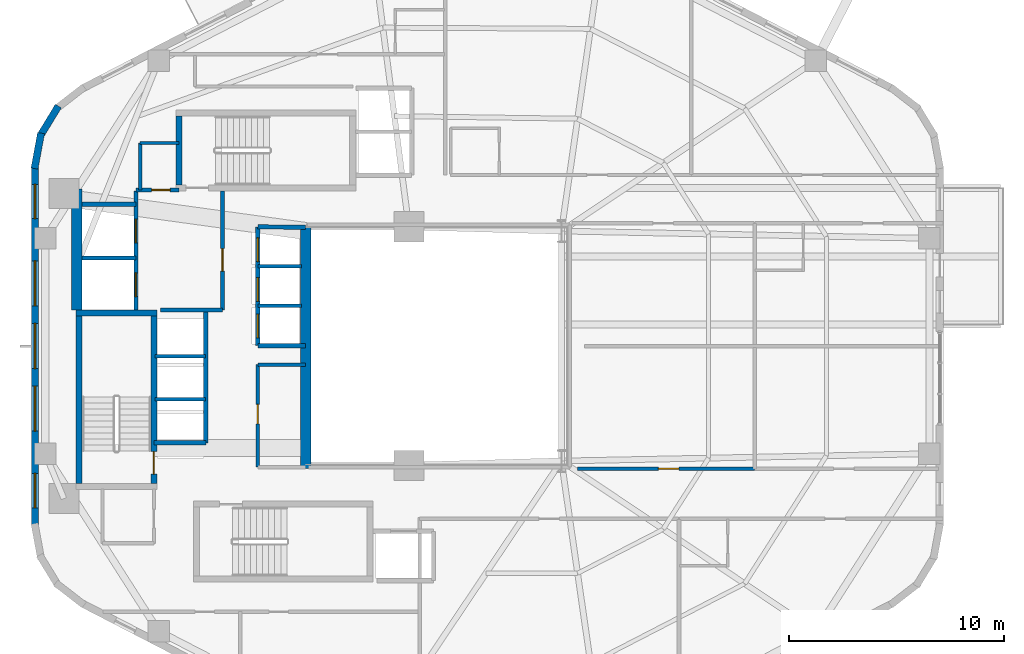
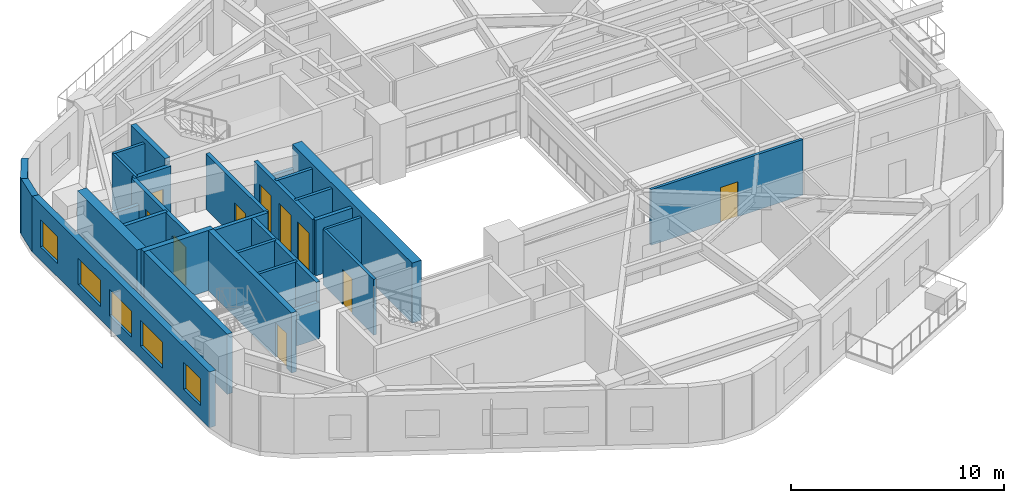
# One storey, part 5 of 10: 29 walls, 10 doors, 5 windows, 15 openings.
"""IFC4 building model written with IfcOpenShell, lengths in metres."""

import ifcopenshell
import ifcopenshell.guid

model = None  # the IFC model being written
_history = None  # IfcOwnerHistory: only IFC2X3 demands one
_inside = {}  # id of a spatial element -> (the spatial element, [elements in it])
_under = {}  # id of a project, library or spatial element -> (it, [spatial elements below it])
_declared = {}  # id of a project -> (the project, [libraries it declares])
_typed = {}  # id of a type object -> (the type object, [elements of that type])
_made_of = {}  # id of a material, layer set ... -> (it, [elements and type objects made of it])


def new_model(schema):
    """Start an empty IFC model of exactly this schema.

    Asked for "IFC4X3", IfcOpenShell would pick the latest addendum, in which some entities
    have other attributes; the version numbers below select the first issue.
    IFC2X3 requires an IfcOwnerHistory on every rooted entity: one is made here for all.
    """
    global model, _history
    if schema == "IFC4X3":
        model = ifcopenshell.file(schema_version=(4, 3, 0, 0))
    else:
        model = ifcopenshell.file(schema=schema)
    _inside.clear()
    _under.clear()
    _declared.clear()
    _typed.clear()
    _made_of.clear()
    _history = None
    if model.schema == "IFC2X3":
        org = make("IfcOrganization", Name="unknown")
        user = make(
            "IfcPersonAndOrganization",
            ThePerson=make("IfcPerson", FamilyName="unknown"),
            TheOrganization=org,
        )
        app = make(
            "IfcApplication",
            ApplicationDeveloper=org,
            Version="unknown",
            ApplicationFullName="unknown",
            ApplicationIdentifier="unknown",
        )
        _history = make(
            "IfcOwnerHistory",
            OwningUser=user,
            OwningApplication=app,
            ChangeAction="ADDED",
            CreationDate=0,
        )
    return model


def make(cls, **values):
    """One entity of the class cls with the attributes given. An attribute that is None is left unset."""
    return model.create_entity(
        cls, **{name: value for name, value in values.items() if value is not None}
    )


def rooted(cls, **values):
    """An entity with a GlobalId (a new one), such as an element, a storey or a relation."""
    return make(cls, GlobalId=ifcopenshell.guid.new(), OwnerHistory=_history, **values)


def si_unit(unit_type, name, prefix=None):
    """IfcSIUnit, for example si_unit("LENGTHUNIT", "METRE", prefix="MILLI")."""
    return make("IfcSIUnit", UnitType=unit_type, Prefix=prefix, Name=name)


def assignment(units):
    """IfcUnitAssignment: the units of a project."""
    return None if units is None else make("IfcUnitAssignment", Units=units)


def point(xyz):
    """IfcCartesianPoint."""
    return None if xyz is None else make("IfcCartesianPoint", Coordinates=xyz)


def direction(xyz):
    """IfcDirection."""
    return None if xyz is None else make("IfcDirection", DirectionRatios=xyz)


def frame(location, z_axis=None, x_axis=None):
    """IfcAxis2Placement3D, a coordinate frame: its origin and axes. An axis left out is left unset."""
    return make(
        "IfcAxis2Placement3D",
        Location=point(location),
        Axis=direction(z_axis),
        RefDirection=direction(x_axis),
    )


def frame_2d(location, x_axis=None):
    """IfcAxis2Placement2D, a coordinate frame in the plane: its origin and x axis."""
    return make(
        "IfcAxis2Placement2D", Location=point(location), RefDirection=direction(x_axis)
    )


def origin():
    """The frame at (0, 0, 0) with its axes left unset."""
    return frame((0.0, 0.0, 0.0))


def place(relative_to, where):
    """IfcLocalPlacement: puts the frame where relative to a parent placement (None: the world)."""
    return make(
        "IfcLocalPlacement", PlacementRelTo=relative_to, RelativePlacement=where
    )


def context(
    kind, dimensions, precision=None, world=None, true_north=None, identifier=None
):
    """IfcGeometricRepresentationContext, for example the 3D "Model" context."""
    return make(
        "IfcGeometricRepresentationContext",
        ContextIdentifier=identifier,
        ContextType=kind,
        CoordinateSpaceDimension=dimensions,
        Precision=precision,
        WorldCoordinateSystem=world,
        TrueNorth=true_north,
    )


def subcontext(parent, identifier, kind, view, scale=None):
    """IfcGeometricRepresentationSubContext, for example "Body" below "Model"."""
    return make(
        "IfcGeometricRepresentationSubContext",
        ContextIdentifier=identifier,
        ContextType=kind,
        ParentContext=parent,
        TargetScale=scale,
        TargetView=view,
    )


def project(units=None, contexts=None):
    """IfcProject with its units and contexts."""
    return rooted(
        "IfcProject",
        Name="project",
        RepresentationContexts=contexts,
        UnitsInContext=assignment(units),
    )


def spatial(cls, under=None, at=None, **own):
    """A site, building, storey or space (cls), placed at a placement, below another one or the project."""
    s = rooted(cls, ObjectPlacement=at, **own)
    if under is not None:
        _under.setdefault(under.id(), (under, []))[1].append(s)
    return s


def profile(cls, at=None, kind="AREA", **sizes):
    """A parametric profile (cls). Its sizes go by their IFC names, for example OverallWidth=200.0."""
    return make(cls, ProfileType=kind, Position=at, **sizes)


def rectangle(**sizes):
    """IfcRectangleProfileDef."""
    return profile("IfcRectangleProfileDef", **sizes)


def extrude(swept, where, along, depth):
    """IfcExtrudedAreaSolid: the profile swept, set in the frame where, extruded along a direction by depth."""
    return make(
        "IfcExtrudedAreaSolid",
        SweptArea=swept,
        Position=where,
        ExtrudedDirection=direction(along),
        Depth=depth,
    )


def shape(context_of_items, identifier, shape_type, items):
    """IfcShapeRepresentation: the items that make up one representation, for example the "Body"."""
    return make(
        "IfcShapeRepresentation",
        ContextOfItems=context_of_items,
        RepresentationIdentifier=identifier,
        RepresentationType=shape_type,
        Items=items,
    )


def material(Name=None, Category=None):
    """IfcMaterial."""
    return make("IfcMaterial", Name=Name, Category=Category)


def layer(
    of_material, thickness, ventilated=None, Name=None, Category=None, Priority=None
):
    """IfcMaterialLayer: one layer of a wall or slab, of a material (None: an air gap)."""
    return make(
        "IfcMaterialLayer",
        Material=of_material,
        LayerThickness=thickness,
        IsVentilated=ventilated,
        Name=Name,
        Category=Category,
        Priority=Priority,
    )


def layer_set(layers, Name=None):
    """IfcMaterialLayerSet."""
    return make("IfcMaterialLayerSet", MaterialLayers=layers, LayerSetName=Name)


def made_of(thing, what):
    """Note that an element or type object is made of a material, layer set ...; save() writes the relation."""
    if what is not None:
        _made_of.setdefault(what.id(), (what, []))[1].append(thing)
    return thing


def type_object(cls, material=None, **own):
    """A type object (cls), such as IfcWallType, which elements share."""
    return made_of(rooted(cls, **own), material)


def element(
    cls,
    number,
    at=None,
    inside=None,
    cuts=None,
    type_object=None,
    material=None,
    context=None,
    identifier="Body",
    shape_type=None,
    held_by="IfcProductDefinitionShape",
    body=None,
    shapes=None,
    **own,
):
    """One element of the class cls, such as IfcWall. Its Tag is "e" and its number.

    at: its placement. inside: the storey or other place that contains it. cuts: it is an
    opening in that element (IfcRelVoidsElement). A single representation is given by context,
    identifier, shape_type and body (its items); several are given by shapes. held_by: the class
    of the entity that holds the representations. save() writes the other relations.
    """
    e = rooted(cls, Tag="e%d" % number, ObjectPlacement=at, **own)
    if body is not None:
        shapes = [shape(context, identifier, shape_type, body)]
    if shapes is not None:
        e.Representation = make(held_by, Representations=shapes)
    if inside is not None:
        _inside.setdefault(inside.id(), (inside, []))[1].append(e)
    if cuts is not None:
        rooted(
            "IfcRelVoidsElement", RelatingBuildingElement=cuts, RelatedOpeningElement=e
        )
    if type_object is not None:
        _typed.setdefault(type_object.id(), (type_object, []))[1].append(e)
    return made_of(e, material)


def fill(opening, filler):
    """IfcRelFillsElement: the door or window that sits in an opening."""
    return rooted(
        "IfcRelFillsElement",
        RelatingOpeningElement=opening,
        RelatedBuildingElement=filler,
    )


def aggregate(whole, parts):
    """IfcRelAggregates: a whole, such as a stair, and the parts it consists of."""
    return rooted("IfcRelAggregates", RelatingObject=whole, RelatedObjects=parts)


def save(model, path):
    """Write the relations noted so far, then the file.

    IfcRelAggregates (storeys below a building ...), IfcRelContainedInSpatialStructure (elements
    in a storey), IfcRelDefinesByType, IfcRelAssociatesMaterial and IfcRelDeclares: one each for
    every whole, place, type object, material and project.
    """
    for whole, parts in _under.values():
        aggregate(whole, parts)
    for where, things in _inside.values():
        rooted(
            "IfcRelContainedInSpatialStructure",
            RelatedElements=things,
            RelatingStructure=where,
        )
    for kind, things in _typed.values():
        rooted("IfcRelDefinesByType", RelatedObjects=things, RelatingType=kind)
    for what, things in _made_of.values():
        rooted("IfcRelAssociatesMaterial", RelatedObjects=things, RelatingMaterial=what)
    for by, libraries in _declared.values():
        rooted("IfcRelDeclares", RelatingContext=by, RelatedDefinitions=libraries)
    model.write(path)


model = new_model("IFC4")

# Units and contexts
model_context = context("Model", 3, precision=1e-05, world=origin(), true_north=direction((0.0, 1.0)))
body_context = subcontext(model_context, "Body", "Model", "MODEL_VIEW")
ifc_project = project(units=[si_unit("LENGTHUNIT", "METRE"), si_unit("AREAUNIT", "SQUARE_METRE"), si_unit("VOLUMEUNIT", "CUBIC_METRE"), si_unit("PLANEANGLEUNIT", "RADIAN"), si_unit("MASSUNIT", "GRAM", prefix="KILO"), si_unit("THERMODYNAMICTEMPERATUREUNIT", "KELVIN"), si_unit("POWERUNIT", "WATT")], contexts=[model_context])

# Site, building, storey
site_placement = place(None, origin())
site = spatial("IfcSite", under=ifc_project, at=site_placement, CompositionType="ELEMENT")
building_placement = place(site_placement, origin())
building = spatial("IfcBuilding", under=site, at=building_placement, Name="Skarre Station Tower", CompositionType="ELEMENT")
storey_placement = place(building_placement, frame((0.0, 0.0, 105.0)))
storey = spatial("IfcBuildingStorey", under=building, at=storey_placement, Name="L27", CompositionType="ELEMENT", Elevation=105.0)

# Wall, opening, door
ifc_material_1 = material(Name="Acoustic Steel-Stud Gypsum Partition", Category="steel")
ifc_layer_1 = layer(ifc_material_1, 0.14990234375, Name="Acoustic Steel-Stud Gypsum Partition")
ifc_layer_set_1 = layer_set([ifc_layer_1], Name="Acoustic Steel-Stud Gypsum Partition")
wall_type_1 = type_object("IfcWallType", Name="Fire-Rated Corridor Acoustic Partition 150", PredefinedType="PARTITIONING", material=ifc_layer_set_1)
wall_1_placement = place(storey_placement, frame((25.320068359375, 23.1298828125, 0.0), z_axis=(0.0, 0.0, 1.0), x_axis=(0.0, -1.0, 0.0)))
wall_1 = element("IfcWall", 1, at=wall_1_placement, inside=storey, type_object=wall_type_1, Name="L27 Interior Partition WL-PT-L27-RC1-W1", PredefinedType="PARTITIONING", context=body_context, shape_type="SweptSolid", body=[
    extrude(rectangle(XDim=4.769775390625, YDim=0.14990234375, at=frame_2d((2.384765625, 0.0))), origin(), (0.0, 0.0, 1.0), 3.18994140625),
])
opening_1_placement = place(wall_1_placement, frame((1.85009765625, 0.0, 0.0)))
opening_1 = element("IfcOpeningElement", 2, at=opening_1_placement, cuts=wall_1, Name="Opening DR-SVC90", PredefinedType="OPENING", context=body_context, shape_type="SweptSolid", body=[
    extrude(rectangle(XDim=0.89990234375, YDim=2.0, at=frame_2d((0.449951171875, 1.0))), frame((0.0, 0.0849609375, 0.0), z_axis=(0.0, -1.0, 0.0), x_axis=(1.0, 0.0, 0.0)), (0.0, 0.0, 1.0), 0.169921875),
])
ifc_material_2 = material(Name="Powder-Coated Hollow-Metal Acoustic Fire Leaf", Category="steel")
door_type_1 = type_object("IfcDoorType", Name="Service & Riser Fire Door FD60 900x2100", OperationType="SINGLE_SWING_LEFT", PredefinedType="DOOR", material=ifc_material_2)
door_1_placement = place(opening_1_placement, origin())
door_1 = element("IfcDoor", 3, at=door_1_placement, inside=storey, type_object=door_type_1, Name="L27 Core IT Room Door", OperationType="SINGLE_SWING_LEFT", OverallHeight=2.0, OverallWidth=0.89990234375, PredefinedType="DOOR", context=body_context, shape_type="SweptSolid", body=[
    extrude(rectangle(XDim=0.89990234375, YDim=2.0, at=frame_2d((0.449951171875, 1.0))), frame((0.0, 0.02490234375, 0.0), z_axis=(0.0, -1.0, 0.0), x_axis=(1.0, 0.0, 0.0)), (0.0, 0.0, 1.0), 0.050048828125),
])
fill(opening_1, door_1)

# Walls
wall_2_placement = place(storey_placement, frame((25.320068359375, 23.1298828125, 0.0), z_axis=(0.0, 0.0, 1.0), x_axis=(1.0, 0.0, 0.0)))
element("IfcWall", 4, at=wall_2_placement, inside=storey, type_object=wall_type_1, Name="L27 Interior Partition WL-PT-L27-RC1-N3", PredefinedType="PARTITIONING", context=body_context, shape_type="SweptSolid", body=[
    extrude(rectangle(XDim=2.22998046875, YDim=0.14990234375, at=frame_2d((1.114990234375, 0.0))), origin(), (0.0, 0.0, 1.0), 3.18994140625),
])
wall_3_placement = place(storey_placement, frame((19.85009765625, 33.449951171875, 0.0), z_axis=(0.0, 0.0, 1.0), x_axis=(0.0, -1.0, 0.0)))
element("IfcWall", 5, at=wall_3_placement, inside=storey, type_object=wall_type_1, Name="L27 Interior Partition WL-PT-L27-CNW-W", PredefinedType="PARTITIONING", context=body_context, shape_type="SweptSolid", body=[
    extrude(rectangle(XDim=2.18994140625, YDim=0.14990234375, at=frame_2d((1.094970703125, 0.0))), origin(), (0.0, 0.0, 1.0), 3.18994140625),
])
wall_4_placement = place(storey_placement, frame((21.659912109375, 33.449951171875, 0.0), z_axis=(0.0, 0.0, 1.0), x_axis=(-1.0, 0.0, 0.0)))
element("IfcWall", 6, at=wall_4_placement, inside=storey, type_object=wall_type_1, Name="L27 Interior Partition WL-PT-L27-CNW-N1", PredefinedType="PARTITIONING", context=body_context, shape_type="SweptSolid", body=[
    extrude(rectangle(XDim=1.809814453125, YDim=0.14990234375, at=frame_2d((0.90478515625, 0.0))), origin(), (0.0, 0.0, 1.0), 3.18994140625),
])

# Wall, opening, door
wall_5_placement = place(storey_placement, frame((48.428955078125, 18.2900390625, 0.0), z_axis=(0.0, 0.0, 1.0), x_axis=(-1.0, 0.0, 0.0)))
wall_5 = element("IfcWall", 7, at=wall_5_placement, inside=storey, type_object=wall_type_1, Name="L27 Interior Partition WL-PT-L27-EWS1-CW", PredefinedType="PARTITIONING", context=body_context, shape_type="SweptSolid", body=[
    extrude(rectangle(XDim=8.22900390625, YDim=0.14990234375, at=frame_2d((4.114501953125, 0.0))), origin(), (0.0, 0.0, 1.0), 3.18994140625),
])
opening_2_placement = place(wall_5_placement, frame((3.513916015625, 0.0, 0.0)))
opening_2 = element("IfcOpeningElement", 8, at=opening_2_placement, cuts=wall_5, Name="Opening DR-FD60", PredefinedType="OPENING", context=body_context, shape_type="SweptSolid", body=[
    extrude(rectangle(XDim=0.9599609375, YDim=2.0, at=frame_2d((0.47998046875, 1.0))), frame((0.0, 0.0849609375, 0.0), z_axis=(0.0, -1.0, 0.0), x_axis=(1.0, 0.0, 0.0)), (0.0, 0.0, 1.0), 0.169921875),
])
ifc_material_3 = material(Name="Nordic White-Oak Veneer Solid-Core Fire Leaf", Category="wood")
door_type_2 = type_object("IfcDoorType", Name="Corridor Suite Entry Fire Door FD60 960x2150", OperationType="SINGLE_SWING_LEFT", PredefinedType="DOOR", material=ifc_material_3)
door_2_placement = place(opening_2_placement, origin())
door_2 = element("IfcDoor", 9, at=door_2_placement, inside=storey, type_object=door_type_2, Name="L27 EWS1 Entry Door", OperationType="SINGLE_SWING_LEFT", OverallHeight=2.0, OverallWidth=0.9599609375, PredefinedType="DOOR", context=body_context, shape_type="SweptSolid", body=[
    extrude(rectangle(XDim=0.9599609375, YDim=2.0, at=frame_2d((0.47998046875, 1.0))), frame((0.0, 0.02490234375, 0.0), z_axis=(0.0, -1.0, 0.0), x_axis=(1.0, 0.0, 0.0)), (0.0, 0.0, 1.0), 0.050048828125),
])
fill(opening_2, door_2)

# Wall, openings, windows
ifc_material_4 = material(Name="Precast concrete C45/55", Category="concrete")
ifc_layer_2 = layer(ifc_material_4, 0.340087890625, Name="Precast concrete C45/55")
ifc_layer_set_2 = layer_set([ifc_layer_2], Name="Precast concrete C45/55")
wall_type_2 = type_object("IfcWallType", Name="Nordic Honed Precast Facet Wall 340", PredefinedType="STANDARD", material=ifc_layer_set_2)
wall_6_placement = place(storey_placement, frame((14.951904296875, 15.64794921875, 0.0), z_axis=(0.0, 0.0, 1.0), x_axis=(0.0, 1.0, 0.0)))
wall_6 = element("IfcWall", 10, at=wall_6_placement, inside=storey, type_object=wall_type_2, Name="L27 Facet 2 Nordic Precast Masonry Wall", PredefinedType="STANDARD", context=body_context, shape_type="SweptSolid", body=[
    extrude(rectangle(XDim=16.7041015625, YDim=0.340087890625, at=frame_2d((8.35205078125, 0.0))), origin(), (0.0, 0.0, 1.0), 3.18994140625),
])
opening_3_placement = place(wall_6_placement, frame((0.825927734375, 0.0, 0.75)))
opening_3 = element("IfcOpeningElement", 11, at=opening_3_placement, cuts=wall_6, Name="Opening WN-Z2A", PredefinedType="OPENING", context=body_context, shape_type="SweptSolid", body=[
    extrude(rectangle(XDim=1.60009765625, YDim=1.550048828125, at=frame_2d((0.800048828125, 0.77490234375))), frame((0.0, 0.179931640625, 0.0), z_axis=(0.0, -1.0, 0.0), x_axis=(1.0, 0.0, 0.0)), (0.0, 0.0, 1.0), 0.360107421875),
])
opening_4_placement = place(wall_6_placement, frame((4.387939453125, 0.0, 0.75)))
opening_4 = element("IfcOpeningElement", 12, at=opening_4_placement, cuts=wall_6, Name="Opening WN-Z2B", PredefinedType="OPENING", context=body_context, shape_type="SweptSolid", body=[
    extrude(rectangle(XDim=2.10009765625, YDim=1.5, at=frame_2d((1.050048828125, 0.75))), frame((0.0, 0.179931640625, 0.0), z_axis=(0.0, -1.0, 0.0), x_axis=(1.0, 0.0, 0.0)), (0.0, 0.0, 1.0), 0.360107421875),
])
opening_5_placement = place(wall_6_placement, frame((7.302001953125, 0.0, 0.75)))
opening_5 = element("IfcOpeningElement", 13, at=opening_5_placement, cuts=wall_6, Name="Opening WN-Z2B", PredefinedType="OPENING", context=body_context, shape_type="SweptSolid", body=[
    extrude(rectangle(XDim=2.10009765625, YDim=1.5, at=frame_2d((1.050048828125, 0.75))), frame((0.0, 0.179931640625, 0.0), z_axis=(0.0, -1.0, 0.0), x_axis=(1.0, 0.0, 0.0)), (0.0, 0.0, 1.0), 0.360107421875),
])
opening_6_placement = place(wall_6_placement, frame((10.216064453125, 0.0, 0.75)))
opening_6 = element("IfcOpeningElement", 14, at=opening_6_placement, cuts=wall_6, Name="Opening WN-Z2B", PredefinedType="OPENING", context=body_context, shape_type="SweptSolid", body=[
    extrude(rectangle(XDim=2.10009765625, YDim=1.5, at=frame_2d((1.050048828125, 0.75))), frame((0.0, 0.179931640625, 0.0), z_axis=(0.0, -1.0, 0.0), x_axis=(1.0, 0.0, 0.0)), (0.0, 0.0, 1.0), 0.360107421875),
])
opening_7_placement = place(wall_6_placement, frame((14.278076171875, 0.0, 0.75)))
opening_7 = element("IfcOpeningElement", 15, at=opening_7_placement, cuts=wall_6, Name="Opening WN-Z2A", PredefinedType="OPENING", context=body_context, shape_type="SweptSolid", body=[
    extrude(rectangle(XDim=1.60009765625, YDim=1.550048828125, at=frame_2d((0.800048828125, 0.77490234375))), frame((0.0, 0.179931640625, 0.0), z_axis=(0.0, -1.0, 0.0), x_axis=(1.0, 0.0, 0.0)), (0.0, 0.0, 1.0), 0.360107421875),
])
ifc_material_5 = material(Name="Low-Iron Triple Glazing with Bronze Anodized Frame", Category="glass")
window_type_1 = type_object("IfcWindowType", Name="Nordic Residential Tall Window 1600x1550", PartitioningType="SINGLE_PANEL", PredefinedType="WINDOW", material=ifc_material_5)
window_1_placement = place(opening_3_placement, origin())
window_1 = element("IfcWindow", 16, at=window_1_placement, inside=storey, type_object=window_type_1, Name="L27 Facade Window WL-FAC-L27-F2-1", OverallHeight=1.550048828125, OverallWidth=1.60009765625, PartitioningType="SINGLE_PANEL", PredefinedType="WINDOW", context=body_context, shape_type="SweptSolid", body=[
    extrude(rectangle(XDim=1.60009765625, YDim=1.550048828125, at=frame_2d((0.800048828125, 0.77490234375))), frame((0.0, 0.030029296875, 0.0), z_axis=(0.0, -1.0, 0.0), x_axis=(1.0, 0.0, 0.0)), (0.0, 0.0, 1.0), 0.06005859375),
])
fill(opening_3, window_1)
window_2_placement = place(opening_7_placement, origin())
window_2 = element("IfcWindow", 17, at=window_2_placement, inside=storey, type_object=window_type_1, Name="L27 Facade Window WL-FAC-L27-F2-5", OverallHeight=1.550048828125, OverallWidth=1.60009765625, PartitioningType="SINGLE_PANEL", PredefinedType="WINDOW", context=body_context, shape_type="SweptSolid", body=[
    extrude(rectangle(XDim=1.60009765625, YDim=1.550048828125, at=frame_2d((0.800048828125, 0.77490234375))), frame((0.0, 0.030029296875, 0.0), z_axis=(0.0, -1.0, 0.0), x_axis=(1.0, 0.0, 0.0)), (0.0, 0.0, 1.0), 0.06005859375),
])
fill(opening_7, window_2)
window_type_2 = type_object("IfcWindowType", Name="Nordic Residential Twin Window 2100x1500", PartitioningType="SINGLE_PANEL", PredefinedType="WINDOW", material=ifc_material_5)
window_3_placement = place(opening_4_placement, origin())
window_3 = element("IfcWindow", 18, at=window_3_placement, inside=storey, type_object=window_type_2, Name="L27 Facade Window WL-FAC-L27-F2-2", OverallHeight=1.5, OverallWidth=2.10009765625, PartitioningType="SINGLE_PANEL", PredefinedType="WINDOW", context=body_context, shape_type="SweptSolid", body=[
    extrude(rectangle(XDim=2.10009765625, YDim=1.5, at=frame_2d((1.050048828125, 0.75))), frame((0.0, 0.030029296875, 0.0), z_axis=(0.0, -1.0, 0.0), x_axis=(1.0, 0.0, 0.0)), (0.0, 0.0, 1.0), 0.06005859375),
])
fill(opening_4, window_3)
window_4_placement = place(opening_5_placement, origin())
window_4 = element("IfcWindow", 19, at=window_4_placement, inside=storey, type_object=window_type_2, Name="L27 Facade Window WL-FAC-L27-F2-3", OverallHeight=1.5, OverallWidth=2.10009765625, PartitioningType="SINGLE_PANEL", PredefinedType="WINDOW", context=body_context, shape_type="SweptSolid", body=[
    extrude(rectangle(XDim=2.10009765625, YDim=1.5, at=frame_2d((1.050048828125, 0.75))), frame((0.0, 0.030029296875, 0.0), z_axis=(0.0, -1.0, 0.0), x_axis=(1.0, 0.0, 0.0)), (0.0, 0.0, 1.0), 0.06005859375),
])
fill(opening_5, window_4)
window_5_placement = place(opening_6_placement, origin())
window_5 = element("IfcWindow", 20, at=window_5_placement, inside=storey, type_object=window_type_2, Name="L27 Facade Window WL-FAC-L27-F2-4", OverallHeight=1.5, OverallWidth=2.10009765625, PartitioningType="SINGLE_PANEL", PredefinedType="WINDOW", context=body_context, shape_type="SweptSolid", body=[
    extrude(rectangle(XDim=2.10009765625, YDim=1.5, at=frame_2d((1.050048828125, 0.75))), frame((0.0, 0.030029296875, 0.0), z_axis=(0.0, -1.0, 0.0), x_axis=(1.0, 0.0, 0.0)), (0.0, 0.0, 1.0), 0.06005859375),
])
fill(opening_6, window_5)

# Walls
ifc_layer_3 = layer(ifc_material_4, 0.330078125, Name="Precast concrete C45/55")
ifc_layer_set_3 = layer_set([ifc_layer_3], Name="Precast concrete C45/55")
wall_type_3 = type_object("IfcWallType", Name="Nordic Rounded Corner Precast Wall 330", PredefinedType="STANDARD", material=ifc_layer_set_3)
wall_7_placement = place(storey_placement, frame((14.931884765625, 32.258056640625, 0.0), z_axis=(0.0, 0.0, 1.0), x_axis=(0.181984991895, 0.983301308209, 0.0)))
element("IfcWall", 21, at=wall_7_placement, inside=storey, type_object=wall_type_3, Name="L27 Rounded Corner Precast Wall F2-1", PredefinedType="STANDARD", context=body_context, shape_type="SweptSolid", body=[
    extrude(rectangle(XDim=1.677001953125, YDim=0.330078125, at=frame_2d((0.83837890625, 0.0))), origin(), (0.0, 0.0, 1.0), 3.18994140625),
])
wall_8_placement = place(storey_placement, frame((15.169921875, 33.73193359375, 0.0), z_axis=(0.0, 0.0, 1.0), x_axis=(0.520519429557, 0.853849824883, 0.0)))
element("IfcWall", 22, at=wall_8_placement, inside=storey, type_object=wall_type_3, Name="L27 Rounded Corner Precast Wall F2-2", PredefinedType="STANDARD", context=body_context, shape_type="SweptSolid", body=[
    extrude(rectangle(XDim=1.67724609375, YDim=0.330078125, at=frame_2d((0.838623046875, 0.0))), origin(), (0.0, 0.0, 1.0), 3.18994140625),
])
ifc_material_6 = material(Name="Concrete C50/60", Category="concrete")
ifc_layer_4 = layer(ifc_material_6, 0.280029296875, Name="Concrete C50/60")
ifc_layer_set_4 = layer_set([ifc_layer_4], Name="Concrete C50/60")
wall_type_4 = type_object("IfcWallType", Name="RC Core Shear Wall 280", PredefinedType="SHEAR", material=ifc_layer_set_4)
wall_9_placement = place(storey_placement, frame((20.6298828125, 25.5400390625, 0.0), z_axis=(0.0, 0.0, 1.0), x_axis=(-1.0, 0.0, 0.0)))
element("IfcWall", 23, at=wall_9_placement, inside=storey, type_object=wall_type_4, Name="L27 Stair ST-1 North Shear Wall", PredefinedType="SHEAR", context=body_context, shape_type="SweptSolid", body=[
    extrude(rectangle(XDim=3.759765625, YDim=0.280029296875, at=frame_2d((1.8798828125, 0.0))), origin(), (0.0, 0.0, 1.0), 3.449951171875),
])
wall_10_placement = place(storey_placement, frame((17.010009765625, 25.39990234375, 0.0), z_axis=(0.0, 0.0, 1.0), x_axis=(0.0, -1.0, 0.0)))
element("IfcWall", 24, at=wall_10_placement, inside=storey, type_object=wall_type_4, Name="L27 Stair ST-1 West Shear Wall", PredefinedType="SHEAR", context=body_context, shape_type="SweptSolid", body=[
    extrude(rectangle(XDim=7.7998046875, YDim=0.280029296875, at=frame_2d((3.89990234375, 0.0))), origin(), (0.0, 0.0, 1.0), 3.449951171875),
])

# Wall, opening, door
wall_11_placement = place(storey_placement, frame((20.489990234375, 17.60009765625, 0.0), z_axis=(0.0, 0.0, 1.0), x_axis=(0.0, 1.0, 0.0)))
wall_11 = element("IfcWall", 25, at=wall_11_placement, inside=storey, type_object=wall_type_4, Name="L27 Stair ST-1 East Shear Wall", PredefinedType="SHEAR", context=body_context, shape_type="SweptSolid", body=[
    extrude(rectangle(XDim=7.7998046875, YDim=0.280029296875, at=frame_2d((3.89990234375, 0.0))), origin(), (0.0, 0.0, 1.0), 3.449951171875),
])
opening_8_placement = place(wall_11_placement, frame((0.43994140625, 0.0, 0.0)))
opening_8 = element("IfcOpeningElement", 26, at=opening_8_placement, cuts=wall_11, Name="Opening DR-FD90", PredefinedType="OPENING", context=body_context, shape_type="SweptSolid", body=[
    extrude(rectangle(XDim=1.050048828125, YDim=2.0, at=frame_2d((0.52490234375, 1.0))), frame((0.0, 0.14990234375, 0.0), z_axis=(0.0, -1.0, 0.0), x_axis=(1.0, 0.0, 0.0)), (0.0, 0.0, 1.0), 0.300048828125),
])
ifc_material_7 = material(Name="Fire-Rated Insulated Steel Frame & Timber Core Leaf", Category="steel")
door_type_3 = type_object("IfcDoorType", Name="Stair & FSAE Lobby Fire Door FD90 1050x2150", OperationType="SINGLE_SWING_RIGHT", PredefinedType="DOOR", material=ifc_material_7)
door_3_placement = place(opening_8_placement, origin())
door_3 = element("IfcDoor", 27, at=door_3_placement, inside=storey, type_object=door_type_3, Name="L27 Stair ST-1 Exit Door", OperationType="SINGLE_SWING_RIGHT", OverallHeight=2.0, OverallWidth=1.050048828125, PredefinedType="DOOR", context=body_context, shape_type="SweptSolid", body=[
    extrude(rectangle(XDim=1.050048828125, YDim=2.0, at=frame_2d((0.52490234375, 1.0))), frame((0.0, 0.02490234375, 0.0), z_axis=(0.0, -1.0, 0.0), x_axis=(1.0, 0.0, 0.0)), (0.0, 0.0, 1.0), 0.050048828125),
])
fill(opening_8, door_3)

# Walls
wall_12_placement = place(storey_placement, frame((21.659912109375, 34.699951171875, 0.0), z_axis=(0.0, 0.0, 1.0), x_axis=(0.0, -1.0, 0.0)))
element("IfcWall", 28, at=wall_12_placement, inside=storey, type_object=wall_type_4, Name="L27 Stair ST-3 West Shear Wall", PredefinedType="SHEAR", context=body_context, shape_type="SweptSolid", body=[
    extrude(rectangle(XDim=3.199951171875, YDim=0.280029296875, at=frame_2d((1.60009765625, 0.0))), origin(), (0.0, 0.0, 1.0), 3.449951171875),
])
ifc_material_8 = material(Name="Concrete C70/85", Category="concrete")
ifc_layer_5 = layer(ifc_material_8, 0.5, Name="Concrete C70/85")
ifc_layer_set_5 = layer_set([ifc_layer_5], Name="Concrete C70/85")
wall_type_5 = type_object("IfcWallType", Name="RC Core Shear Wall 500", PredefinedType="SHEAR", material=ifc_layer_set_5)
wall_13_placement = place(storey_placement, frame((16.89990234375, 25.679931640625, 0.0), z_axis=(0.0, 0.0, 1.0), x_axis=(0.0, 1.0, 0.0)))
element("IfcWall", 29, at=wall_13_placement, inside=storey, type_object=wall_type_5, Name="L27 Core West-North Shear Wall", PredefinedType="SHEAR", context=body_context, shape_type="SweptSolid", body=[
    extrude(rectangle(XDim=5.6201171875, YDim=0.5, at=frame_2d((2.81005859375, 0.0))), origin(), (0.0, 0.0, 1.0), 3.449951171875),
])
wall_14_placement = place(storey_placement, frame((27.550048828125, 29.550048828125, 0.0), z_axis=(0.0, 0.0, 1.0), x_axis=(0.0, -1.0, 0.0)))
element("IfcWall", 30, at=wall_14_placement, inside=storey, type_object=wall_type_5, Name="L27 Core East Atrium Shear Wall", PredefinedType="SHEAR", context=body_context, shape_type="SweptSolid", body=[
    extrude(rectangle(XDim=11.25, YDim=0.5, at=frame_2d((5.625, 0.0))), origin(), (0.0, 0.0, 1.0), 3.449951171875),
])

# Wall, openings, doors
ifc_material_9 = material(Name="Gypsum Concrete Shaft Assembly C30/37", Category="concrete")
ifc_layer_6 = layer(ifc_material_9, 0.199951171875, Name="Gypsum Concrete Shaft Assembly C30/37")
ifc_layer_set_6 = layer_set([ifc_layer_6], Name="Gypsum Concrete Shaft Assembly C30/37")
wall_type_6 = type_object("IfcWallType", Name="Shaft & Core Fire Partition 200", PredefinedType="PARTITIONING", material=ifc_layer_set_6)
wall_15_placement = place(storey_placement, frame((19.64990234375, 25.679931640625, 0.0), z_axis=(0.0, 0.0, 1.0), x_axis=(0.0, 1.0, 0.0)))
wall_15 = element("IfcWall", 31, at=wall_15_placement, inside=storey, type_object=wall_type_6, Name="L27 Interior Partition WL-PT-L27-FSAE-W", PredefinedType="PARTITIONING", context=body_context, shape_type="SweptSolid", body=[
    extrude(rectangle(XDim=5.5400390625, YDim=0.199951171875, at=frame_2d((2.77001953125, 0.0))), origin(), (0.0, 0.0, 1.0), 3.18994140625),
])
opening_9_placement = place(wall_15_placement, frame((0.6201171875, 0.0, 0.0)))
opening_9 = element("IfcOpeningElement", 32, at=opening_9_placement, cuts=wall_15, Name="Opening LD-FF1", PredefinedType="OPENING", context=body_context, shape_type="SweptSolid", body=[
    extrude(rectangle(XDim=1.10009765625, YDim=2.199951171875, at=frame_2d((0.550048828125, 1.10009765625))), frame((0.0, 0.10986328125, 0.0), z_axis=(0.0, -1.0, 0.0), x_axis=(1.0, 0.0, 0.0)), (0.0, 0.0, 1.0), 0.219970703125),
])
opening_10_placement = place(wall_15_placement, frame((3.1201171875, 0.0, 0.0)))
opening_10 = element("IfcOpeningElement", 33, at=opening_10_placement, cuts=wall_15, Name="Opening LD-FF2", PredefinedType="OPENING", context=body_context, shape_type="SweptSolid", body=[
    extrude(rectangle(XDim=1.10009765625, YDim=2.199951171875, at=frame_2d((0.550048828125, 1.10009765625))), frame((0.0, 0.10986328125, 0.0), z_axis=(0.0, -1.0, 0.0), x_axis=(1.0, 0.0, 0.0)), (0.0, 0.0, 1.0), 0.219970703125),
])
ifc_material_10 = material(Name="Fire-Rated Stainless Steel Grade 316L Sliding Leaves", Category="steel")
door_type_4 = type_object("IfcDoorType", Name="Fire Service Access Elevator Sliding Landing Door 1100x2200", OperationType="SLIDING_TO_LEFT", PredefinedType="DOOR", material=ifc_material_10)
door_4_placement = place(opening_9_placement, origin())
door_4 = element("IfcDoor", 34, at=door_4_placement, inside=storey, type_object=door_type_4, Name="L27 Firefighting Lift LF-FF1 Landing Door", OperationType="SLIDING_TO_LEFT", OverallHeight=2.199951171875, OverallWidth=1.10009765625, PredefinedType="DOOR", context=body_context, shape_type="SweptSolid", body=[
    extrude(rectangle(XDim=1.10009765625, YDim=2.199951171875, at=frame_2d((0.550048828125, 1.10009765625))), frame((0.0, 0.02490234375, 0.0), z_axis=(0.0, -1.0, 0.0), x_axis=(1.0, 0.0, 0.0)), (0.0, 0.0, 1.0), 0.050048828125),
])
fill(opening_9, door_4)
door_5_placement = place(opening_10_placement, origin())
door_5 = element("IfcDoor", 35, at=door_5_placement, inside=storey, type_object=door_type_4, Name="L27 Firefighting Lift LF-FF2 Landing Door", OperationType="SLIDING_TO_LEFT", OverallHeight=2.199951171875, OverallWidth=1.10009765625, PredefinedType="DOOR", context=body_context, shape_type="SweptSolid", body=[
    extrude(rectangle(XDim=1.10009765625, YDim=2.199951171875, at=frame_2d((0.550048828125, 1.10009765625))), frame((0.0, 0.02490234375, 0.0), z_axis=(0.0, -1.0, 0.0), x_axis=(1.0, 0.0, 0.0)), (0.0, 0.0, 1.0), 0.050048828125),
])
fill(opening_10, door_5)

# Wall
wall_16_placement = place(storey_placement, frame((20.79296875, 25.679931640625, 0.0), z_axis=(0.0, 0.0, 1.0), x_axis=(1.0, 0.0, 0.0)))
element("IfcWall", 36, at=wall_16_placement, inside=storey, type_object=wall_type_6, Name="L27 Interior Partition WL-PT-L27-FSAE-S", PredefinedType="PARTITIONING", context=body_context, shape_type="SweptSolid", body=[
    extrude(rectangle(XDim=2.886962890625, YDim=0.199951171875, at=frame_2d((1.443359375, 0.0))), origin(), (0.0, 0.0, 1.0), 3.18994140625),
])

# Wall, opening, door
wall_17_placement = place(storey_placement, frame((23.679931640625, 25.679931640625, 0.0), z_axis=(0.0, 0.0, 1.0), x_axis=(0.0, 1.0, 0.0)))
wall_17 = element("IfcWall", 37, at=wall_17_placement, inside=storey, type_object=wall_type_6, Name="L27 Interior Partition WL-PT-L27-FSAE-E", PredefinedType="PARTITIONING", context=body_context, shape_type="SweptSolid", body=[
    extrude(rectangle(XDim=5.5400390625, YDim=0.199951171875, at=frame_2d((2.77001953125, 0.0))), origin(), (0.0, 0.0, 1.0), 3.18994140625),
])
opening_11_placement = place(wall_17_placement, frame((1.800048828125, 0.0, 0.0)))
opening_11 = element("IfcOpeningElement", 38, at=opening_11_placement, cuts=wall_17, Name="Opening DR-FD90", PredefinedType="OPENING", context=body_context, shape_type="SweptSolid", body=[
    extrude(rectangle(XDim=1.050048828125, YDim=2.0, at=frame_2d((0.52490234375, 1.0))), frame((0.0, 0.10986328125, 0.0), z_axis=(0.0, -1.0, 0.0), x_axis=(1.0, 0.0, 0.0)), (0.0, 0.0, 1.0), 0.219970703125),
])
door_6_placement = place(opening_11_placement, origin())
door_6 = element("IfcDoor", 39, at=door_6_placement, inside=storey, type_object=door_type_3, Name="L27 FSAE Lobby Fire Door", OperationType="SINGLE_SWING_RIGHT", OverallHeight=2.0, OverallWidth=1.050048828125, PredefinedType="DOOR", context=body_context, shape_type="SweptSolid", body=[
    extrude(rectangle(XDim=1.050048828125, YDim=2.0, at=frame_2d((0.52490234375, 1.0))), frame((0.0, 0.02490234375, 0.0), z_axis=(0.0, -1.0, 0.0), x_axis=(1.0, 0.0, 0.0)), (0.0, 0.0, 1.0), 0.050048828125),
])
fill(opening_11, door_6)

wall_18_placement = place(storey_placement, frame((21.659912109375, 31.260009765625, 0.0), z_axis=(0.0, 0.0, 1.0), x_axis=(-1.0, 0.0, 0.0)))
wall_18 = element("IfcWall", 40, at=wall_18_placement, inside=storey, type_object=wall_type_6, Name="L27 Interior Partition WL-PT-L27-FSAE-N", PredefinedType="PARTITIONING", context=body_context, shape_type="SweptSolid", body=[
    extrude(rectangle(XDim=2.010009765625, YDim=0.199951171875, at=frame_2d((1.0048828125, 0.0))), origin(), (0.0, 0.0, 1.0), 3.18994140625),
])
opening_12_placement = place(wall_18_placement, frame((0.419921875, 0.0, 0.0)))
opening_12 = element("IfcOpeningElement", 41, at=opening_12_placement, cuts=wall_18, Name="Opening DR-SVC86", PredefinedType="OPENING", context=body_context, shape_type="SweptSolid", body=[
    extrude(rectangle(XDim=0.860107421875, YDim=2.0, at=frame_2d((0.43017578125, 1.0))), frame((0.0, 0.10986328125, 0.0), z_axis=(0.0, -1.0, 0.0), x_axis=(1.0, 0.0, 0.0)), (0.0, 0.0, 1.0), 0.219970703125),
])
door_type_5 = type_object("IfcDoorType", Name="Compact Riser Fire Door FD60 860x2100", OperationType="SINGLE_SWING_LEFT", PredefinedType="DOOR", material=ifc_material_2)
door_7_placement = place(opening_12_placement, origin())
door_7 = element("IfcDoor", 42, at=door_7_placement, inside=storey, type_object=door_type_5, Name="L27 Core Service Room Lobby Door", OperationType="SINGLE_SWING_LEFT", OverallHeight=2.0, OverallWidth=0.860107421875, PredefinedType="DOOR", context=body_context, shape_type="SweptSolid", body=[
    extrude(rectangle(XDim=0.860107421875, YDim=2.0, at=frame_2d((0.43017578125, 1.0))), frame((0.0, 0.02490234375, 0.0), z_axis=(0.0, -1.0, 0.0), x_axis=(1.0, 0.0, 0.0)), (0.0, 0.0, 1.0), 0.050048828125),
])
fill(opening_12, door_7)

# Walls
wall_19_placement = place(storey_placement, frame((17.14990234375, 28.10009765625, 0.0), z_axis=(0.0, 0.0, 1.0), x_axis=(1.0, 0.0, 0.0)))
element("IfcWall", 43, at=wall_19_placement, inside=storey, type_object=wall_type_6, Name="L27 Interior Partition WL-PT-L27-FF-DIV", PredefinedType="PARTITIONING", context=body_context, shape_type="SweptSolid", body=[
    extrude(rectangle(XDim=2.5, YDim=0.199951171875, at=frame_2d((1.25, 0.0))), origin(), (0.0, 0.0, 1.0), 3.18994140625),
])
wall_20_placement = place(storey_placement, frame((19.64990234375, 30.60009765625, 0.0), z_axis=(0.0, 0.0, 1.0), x_axis=(-1.0, 0.0, 0.0)))
element("IfcWall", 44, at=wall_20_placement, inside=storey, type_object=wall_type_6, Name="L27 Interior Partition WL-PT-L27-FF-N", PredefinedType="PARTITIONING", context=body_context, shape_type="SweptSolid", body=[
    extrude(rectangle(XDim=2.5, YDim=0.199951171875, at=frame_2d((1.25, 0.0))), origin(), (0.0, 0.0, 1.0), 2.090087890625),
])
wall_21_placement = place(storey_placement, frame((22.89990234375, 19.5, 0.0), z_axis=(0.0, 0.0, 1.0), x_axis=(0.0, 1.0, 0.0)))
element("IfcWall", 45, at=wall_21_placement, inside=storey, type_object=wall_type_6, Name="L27 Interior Partition WL-PT-L27-B3-E", PredefinedType="PARTITIONING", context=body_context, shape_type="SweptSolid", body=[
    extrude(rectangle(XDim=6.0849609375, YDim=0.199951171875, at=frame_2d((3.04248046875, 0.0))), origin(), (0.0, 0.0, 1.0), 3.18994140625),
])
wall_22_placement = place(storey_placement, frame((20.489990234375, 19.5, 0.0), z_axis=(0.0, 0.0, 1.0), x_axis=(1.0, 0.0, 0.0)))
element("IfcWall", 46, at=wall_22_placement, inside=storey, type_object=wall_type_6, Name="L27 Interior Partition WL-PT-L27-B3-S", PredefinedType="PARTITIONING", context=body_context, shape_type="SweptSolid", body=[
    extrude(rectangle(XDim=2.409912109375, YDim=0.199951171875, at=frame_2d((1.205078125, 0.0))), origin(), (0.0, 0.0, 1.0), 2.090087890625),
])
for number, where, z_axis, x_axis, name in (
    (47, (20.550048828125, 21.52001953125, 0.0), (0.0, 0.0, 1.0), (1.0, 0.0, 0.0), "L27 Interior Partition WL-PT-L27-B3-D1"),
    (48, (20.550048828125, 23.52001953125, 0.0), (0.0, 0.0, 1.0), (1.0, 0.0, 0.0), "L27 Interior Partition WL-PT-L27-B3-D2"),
):
    element("IfcWall", number, at=place(storey_placement, frame(where, z_axis=z_axis, x_axis=x_axis)), inside=storey, type_object=wall_type_6, Name=name, PredefinedType="PARTITIONING", context=body_context, shape_type="SweptSolid", body=[
        extrude(rectangle(XDim=2.349853515625, YDim=0.159912109375, at=frame_2d((1.1748046875, 0.0))), origin(), (0.0, 0.0, 1.0), 3.18994140625),
    ])

# Wall, openings, doors
wall_23_placement = place(storey_placement, frame((25.320068359375, 29.550048828125, 0.0), z_axis=(0.0, 0.0, 1.0), x_axis=(0.0, -1.0, 0.0)))
wall_23 = element("IfcWall", 49, at=wall_23_placement, inside=storey, type_object=wall_type_6, Name="L27 Interior Partition WL-PT-L27-B2-W", PredefinedType="PARTITIONING", context=body_context, shape_type="SweptSolid", body=[
    extrude(rectangle(XDim=5.530029296875, YDim=0.199951171875, at=frame_2d((2.76513671875, 0.0))), origin(), (0.0, 0.0, 1.0), 3.18994140625),
])
opening_13_placement = place(wall_23_placement, frame((0.52001953125, 0.0, 0.0)))
opening_13 = element("IfcOpeningElement", 50, at=opening_13_placement, cuts=wall_23, Name="Opening LD-P6", PredefinedType="OPENING", context=body_context, shape_type="SweptSolid", body=[
    extrude(rectangle(XDim=1.10009765625, YDim=2.199951171875, at=frame_2d((0.550048828125, 1.10009765625))), frame((0.0, 0.10986328125, 0.0), z_axis=(0.0, -1.0, 0.0), x_axis=(1.0, 0.0, 0.0)), (0.0, 0.0, 1.0), 0.219970703125),
])
opening_14_placement = place(wall_23_placement, frame((2.3701171875, 0.0, 0.0)))
opening_14 = element("IfcOpeningElement", 51, at=opening_14_placement, cuts=wall_23, Name="Opening LD-P5", PredefinedType="OPENING", context=body_context, shape_type="SweptSolid", body=[
    extrude(rectangle(XDim=1.10009765625, YDim=2.199951171875, at=frame_2d((0.550048828125, 1.10009765625))), frame((0.0, 0.10986328125, 0.0), z_axis=(0.0, -1.0, 0.0), x_axis=(1.0, 0.0, 0.0)), (0.0, 0.0, 1.0), 0.219970703125),
])
opening_15_placement = place(wall_23_placement, frame((4.070068359375, 0.0, 0.0)))
opening_15 = element("IfcOpeningElement", 52, at=opening_15_placement, cuts=wall_23, Name="Opening LD-P4", PredefinedType="OPENING", context=body_context, shape_type="SweptSolid", body=[
    extrude(rectangle(XDim=1.10009765625, YDim=2.199951171875, at=frame_2d((0.550048828125, 1.10009765625))), frame((0.0, 0.10986328125, 0.0), z_axis=(0.0, -1.0, 0.0), x_axis=(1.0, 0.0, 0.0)), (0.0, 0.0, 1.0), 0.219970703125),
])
ifc_material_11 = material(Name="Brushed Bronze Stainless Steel Sliding Leaves", Category="steel")
door_type_6 = type_object("IfcDoorType", Name="Passenger Elevator Center-Parting Sliding Door 1100x2200", OperationType="SLIDING_TO_LEFT", PredefinedType="DOOR", material=ifc_material_11)
door_8_placement = place(opening_13_placement, origin())
door_8 = element("IfcDoor", 53, at=door_8_placement, inside=storey, type_object=door_type_6, Name="L27 Passenger Lift LF-P6 Landing Door", OperationType="SLIDING_TO_LEFT", OverallHeight=2.199951171875, OverallWidth=1.10009765625, PredefinedType="DOOR", context=body_context, shape_type="SweptSolid", body=[
    extrude(rectangle(XDim=1.10009765625, YDim=2.199951171875, at=frame_2d((0.550048828125, 1.10009765625))), frame((0.0, 0.02490234375, 0.0), z_axis=(0.0, -1.0, 0.0), x_axis=(1.0, 0.0, 0.0)), (0.0, 0.0, 1.0), 0.050048828125),
])
fill(opening_13, door_8)
door_9_placement = place(opening_14_placement, origin())
door_9 = element("IfcDoor", 54, at=door_9_placement, inside=storey, type_object=door_type_6, Name="L27 Passenger Lift LF-P5 Landing Door", OperationType="SLIDING_TO_LEFT", OverallHeight=2.199951171875, OverallWidth=1.10009765625, PredefinedType="DOOR", context=body_context, shape_type="SweptSolid", body=[
    extrude(rectangle(XDim=1.10009765625, YDim=2.199951171875, at=frame_2d((0.550048828125, 1.10009765625))), frame((0.0, 0.02490234375, 0.0), z_axis=(0.0, -1.0, 0.0), x_axis=(1.0, 0.0, 0.0)), (0.0, 0.0, 1.0), 0.050048828125),
])
fill(opening_14, door_9)
door_10_placement = place(opening_15_placement, origin())
door_10 = element("IfcDoor", 55, at=door_10_placement, inside=storey, type_object=door_type_6, Name="L27 Passenger Lift LF-P4 Landing Door", OperationType="SLIDING_TO_LEFT", OverallHeight=2.199951171875, OverallWidth=1.10009765625, PredefinedType="DOOR", context=body_context, shape_type="SweptSolid", body=[
    extrude(rectangle(XDim=1.10009765625, YDim=2.199951171875, at=frame_2d((0.550048828125, 1.10009765625))), frame((0.0, 0.02490234375, 0.0), z_axis=(0.0, -1.0, 0.0), x_axis=(1.0, 0.0, 0.0)), (0.0, 0.0, 1.0), 0.050048828125),
])
fill(opening_15, door_10)

# Walls
wall_24_placement = place(storey_placement, frame((27.550048828125, 29.52001953125, 0.0), z_axis=(0.0, 0.0, 1.0), x_axis=(-0.999909343457, 0.013464949556, 0.0)))
element("IfcWall", 56, at=wall_24_placement, inside=storey, type_object=wall_type_6, Name="L27 Interior Partition WL-PT-L27-B2-N", PredefinedType="PARTITIONING", context=body_context, shape_type="SweptSolid", body=[
    extrude(rectangle(XDim=2.230224609375, YDim=0.199951171875, at=frame_2d((1.115234375, 0.0))), origin(), (0.0, 0.0, 1.0), 2.090087890625),
])
wall_25_placement = place(storey_placement, frame((25.320068359375, 24.02001953125, 0.0), z_axis=(0.0, 0.0, 1.0), x_axis=(1.0, 0.0, 0.0)))
element("IfcWall", 57, at=wall_25_placement, inside=storey, type_object=wall_type_6, Name="L27 Interior Partition WL-PT-L27-B2-S", PredefinedType="PARTITIONING", context=body_context, shape_type="SweptSolid", body=[
    extrude(rectangle(XDim=2.22998046875, YDim=0.199951171875, at=frame_2d((1.114990234375, 0.0))), origin(), (0.0, 0.0, 1.0), 3.18994140625),
])
for number, where, z_axis, x_axis, name in (
    (58, (25.320068359375, 25.8701171875, 0.0), (0.0, 0.0, 1.0), (1.0, 0.0, 0.0), "L27 Interior Partition WL-PT-L27-B2-D258"),
    (59, (25.320068359375, 27.719970703125, 0.0), (0.0, 0.0, 1.0), (1.0, 0.0, 0.0), "L27 Interior Partition WL-PT-L27-B2-D277"),
):
    element("IfcWall", number, at=place(storey_placement, frame(where, z_axis=z_axis, x_axis=x_axis)), inside=storey, type_object=wall_type_6, Name=name, PredefinedType="PARTITIONING", context=body_context, shape_type="SweptSolid", body=[
        extrude(rectangle(XDim=2.030029296875, YDim=0.159912109375, at=frame_2d((1.01513671875, 0.0))), origin(), (0.0, 0.0, 1.0), 3.18994140625),
    ])

save(model, "model.ifc")
